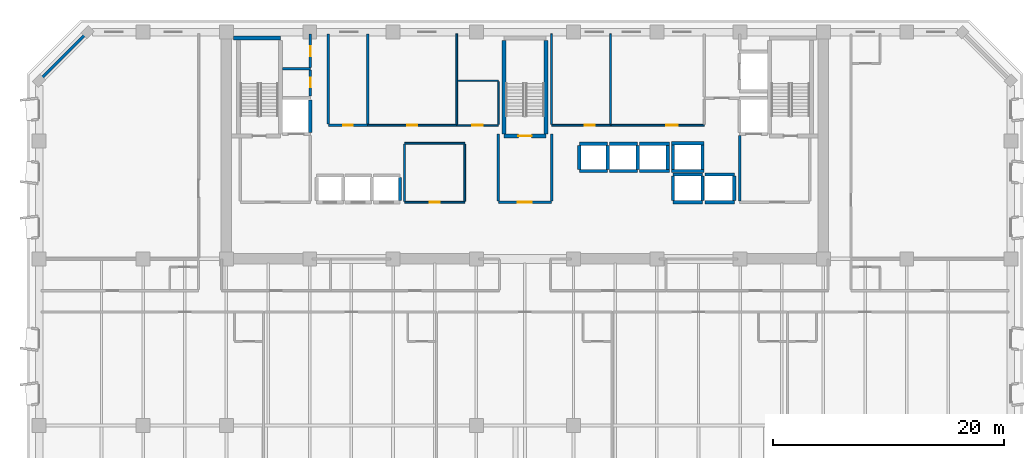
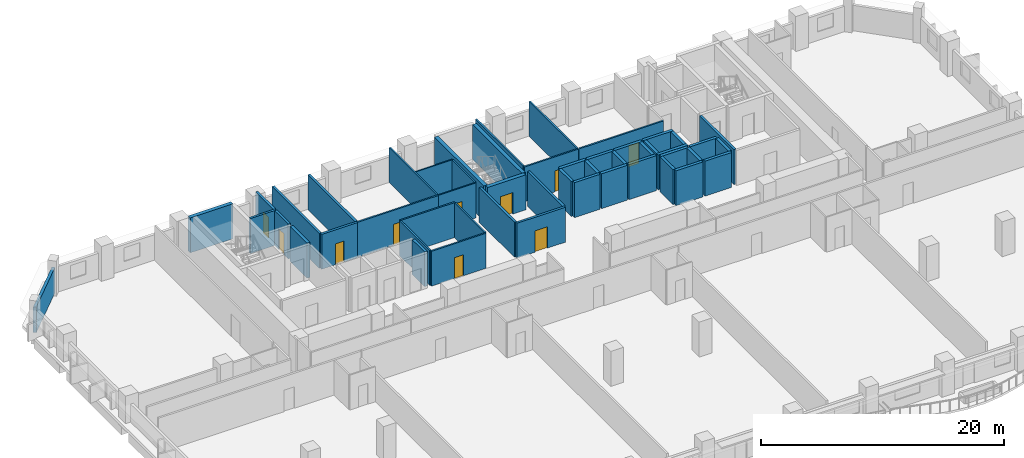
# One storey, part 7 of 14: 51 walls, 10 doors, 10 openings.
"""IFC4 building model written with IfcOpenShell, lengths in metres."""

import ifcopenshell
import ifcopenshell.guid

model = None  # the IFC model being written
_history = None  # IfcOwnerHistory: only IFC2X3 demands one
_inside = {}  # id of a spatial element -> (the spatial element, [elements in it])
_under = {}  # id of a project, library or spatial element -> (it, [spatial elements below it])
_declared = {}  # id of a project -> (the project, [libraries it declares])
_typed = {}  # id of a type object -> (the type object, [elements of that type])
_made_of = {}  # id of a material, layer set ... -> (it, [elements and type objects made of it])


def new_model(schema):
    """Start an empty IFC model of exactly this schema.

    Asked for "IFC4X3", IfcOpenShell would pick the latest addendum, in which some entities
    have other attributes; the version numbers below select the first issue.
    IFC2X3 requires an IfcOwnerHistory on every rooted entity: one is made here for all.
    """
    global model, _history
    if schema == "IFC4X3":
        model = ifcopenshell.file(schema_version=(4, 3, 0, 0))
    else:
        model = ifcopenshell.file(schema=schema)
    _inside.clear()
    _under.clear()
    _declared.clear()
    _typed.clear()
    _made_of.clear()
    _history = None
    if model.schema == "IFC2X3":
        org = make("IfcOrganization", Name="unknown")
        user = make(
            "IfcPersonAndOrganization",
            ThePerson=make("IfcPerson", FamilyName="unknown"),
            TheOrganization=org,
        )
        app = make(
            "IfcApplication",
            ApplicationDeveloper=org,
            Version="unknown",
            ApplicationFullName="unknown",
            ApplicationIdentifier="unknown",
        )
        _history = make(
            "IfcOwnerHistory",
            OwningUser=user,
            OwningApplication=app,
            ChangeAction="ADDED",
            CreationDate=0,
        )
    return model


def make(cls, **values):
    """One entity of the class cls with the attributes given. An attribute that is None is left unset."""
    return model.create_entity(
        cls, **{name: value for name, value in values.items() if value is not None}
    )


def rooted(cls, **values):
    """An entity with a GlobalId (a new one), such as an element, a storey or a relation."""
    return make(cls, GlobalId=ifcopenshell.guid.new(), OwnerHistory=_history, **values)


def si_unit(unit_type, name, prefix=None):
    """IfcSIUnit, for example si_unit("LENGTHUNIT", "METRE", prefix="MILLI")."""
    return make("IfcSIUnit", UnitType=unit_type, Prefix=prefix, Name=name)


def assignment(units):
    """IfcUnitAssignment: the units of a project."""
    return None if units is None else make("IfcUnitAssignment", Units=units)


def point(xyz):
    """IfcCartesianPoint."""
    return None if xyz is None else make("IfcCartesianPoint", Coordinates=xyz)


def direction(xyz):
    """IfcDirection."""
    return None if xyz is None else make("IfcDirection", DirectionRatios=xyz)


def frame(location, z_axis=None, x_axis=None):
    """IfcAxis2Placement3D, a coordinate frame: its origin and axes. An axis left out is left unset."""
    return make(
        "IfcAxis2Placement3D",
        Location=point(location),
        Axis=direction(z_axis),
        RefDirection=direction(x_axis),
    )


def frame_2d(location, x_axis=None):
    """IfcAxis2Placement2D, a coordinate frame in the plane: its origin and x axis."""
    return make(
        "IfcAxis2Placement2D", Location=point(location), RefDirection=direction(x_axis)
    )


def origin():
    """The frame at (0, 0, 0) with its axes left unset."""
    return frame((0.0, 0.0, 0.0))


def place(relative_to, where):
    """IfcLocalPlacement: puts the frame where relative to a parent placement (None: the world)."""
    return make(
        "IfcLocalPlacement", PlacementRelTo=relative_to, RelativePlacement=where
    )


def context(
    kind, dimensions, precision=None, world=None, true_north=None, identifier=None
):
    """IfcGeometricRepresentationContext, for example the 3D "Model" context."""
    return make(
        "IfcGeometricRepresentationContext",
        ContextIdentifier=identifier,
        ContextType=kind,
        CoordinateSpaceDimension=dimensions,
        Precision=precision,
        WorldCoordinateSystem=world,
        TrueNorth=true_north,
    )


def subcontext(parent, identifier, kind, view, scale=None):
    """IfcGeometricRepresentationSubContext, for example "Body" below "Model"."""
    return make(
        "IfcGeometricRepresentationSubContext",
        ContextIdentifier=identifier,
        ContextType=kind,
        ParentContext=parent,
        TargetScale=scale,
        TargetView=view,
    )


def project(units=None, contexts=None):
    """IfcProject with its units and contexts."""
    return rooted(
        "IfcProject",
        Name="project",
        RepresentationContexts=contexts,
        UnitsInContext=assignment(units),
    )


def spatial(cls, under=None, at=None, **own):
    """A site, building, storey or space (cls), placed at a placement, below another one or the project."""
    s = rooted(cls, ObjectPlacement=at, **own)
    if under is not None:
        _under.setdefault(under.id(), (under, []))[1].append(s)
    return s


def profile(cls, at=None, kind="AREA", **sizes):
    """A parametric profile (cls). Its sizes go by their IFC names, for example OverallWidth=200.0."""
    return make(cls, ProfileType=kind, Position=at, **sizes)


def rectangle(**sizes):
    """IfcRectangleProfileDef."""
    return profile("IfcRectangleProfileDef", **sizes)


def extrude(swept, where, along, depth):
    """IfcExtrudedAreaSolid: the profile swept, set in the frame where, extruded along a direction by depth."""
    return make(
        "IfcExtrudedAreaSolid",
        SweptArea=swept,
        Position=where,
        ExtrudedDirection=direction(along),
        Depth=depth,
    )


def shape(context_of_items, identifier, shape_type, items):
    """IfcShapeRepresentation: the items that make up one representation, for example the "Body"."""
    return make(
        "IfcShapeRepresentation",
        ContextOfItems=context_of_items,
        RepresentationIdentifier=identifier,
        RepresentationType=shape_type,
        Items=items,
    )


def material(Name=None, Category=None):
    """IfcMaterial."""
    return make("IfcMaterial", Name=Name, Category=Category)


def layer(
    of_material, thickness, ventilated=None, Name=None, Category=None, Priority=None
):
    """IfcMaterialLayer: one layer of a wall or slab, of a material (None: an air gap)."""
    return make(
        "IfcMaterialLayer",
        Material=of_material,
        LayerThickness=thickness,
        IsVentilated=ventilated,
        Name=Name,
        Category=Category,
        Priority=Priority,
    )


def layer_set(layers, Name=None):
    """IfcMaterialLayerSet."""
    return make("IfcMaterialLayerSet", MaterialLayers=layers, LayerSetName=Name)


def made_of(thing, what):
    """Note that an element or type object is made of a material, layer set ...; save() writes the relation."""
    if what is not None:
        _made_of.setdefault(what.id(), (what, []))[1].append(thing)
    return thing


def type_object(cls, material=None, **own):
    """A type object (cls), such as IfcWallType, which elements share."""
    return made_of(rooted(cls, **own), material)


def element(
    cls,
    number,
    at=None,
    inside=None,
    cuts=None,
    type_object=None,
    material=None,
    context=None,
    identifier="Body",
    shape_type=None,
    held_by="IfcProductDefinitionShape",
    body=None,
    shapes=None,
    **own,
):
    """One element of the class cls, such as IfcWall. Its Tag is "e" and its number.

    at: its placement. inside: the storey or other place that contains it. cuts: it is an
    opening in that element (IfcRelVoidsElement). A single representation is given by context,
    identifier, shape_type and body (its items); several are given by shapes. held_by: the class
    of the entity that holds the representations. save() writes the other relations.
    """
    e = rooted(cls, Tag="e%d" % number, ObjectPlacement=at, **own)
    if body is not None:
        shapes = [shape(context, identifier, shape_type, body)]
    if shapes is not None:
        e.Representation = make(held_by, Representations=shapes)
    if inside is not None:
        _inside.setdefault(inside.id(), (inside, []))[1].append(e)
    if cuts is not None:
        rooted(
            "IfcRelVoidsElement", RelatingBuildingElement=cuts, RelatedOpeningElement=e
        )
    if type_object is not None:
        _typed.setdefault(type_object.id(), (type_object, []))[1].append(e)
    return made_of(e, material)


def fill(opening, filler):
    """IfcRelFillsElement: the door or window that sits in an opening."""
    return rooted(
        "IfcRelFillsElement",
        RelatingOpeningElement=opening,
        RelatedBuildingElement=filler,
    )


def aggregate(whole, parts):
    """IfcRelAggregates: a whole, such as a stair, and the parts it consists of."""
    return rooted("IfcRelAggregates", RelatingObject=whole, RelatedObjects=parts)


def save(model, path):
    """Write the relations noted so far, then the file.

    IfcRelAggregates (storeys below a building ...), IfcRelContainedInSpatialStructure (elements
    in a storey), IfcRelDefinesByType, IfcRelAssociatesMaterial and IfcRelDeclares: one each for
    every whole, place, type object, material and project.
    """
    for whole, parts in _under.values():
        aggregate(whole, parts)
    for where, things in _inside.values():
        rooted(
            "IfcRelContainedInSpatialStructure",
            RelatedElements=things,
            RelatingStructure=where,
        )
    for kind, things in _typed.values():
        rooted("IfcRelDefinesByType", RelatedObjects=things, RelatingType=kind)
    for what, things in _made_of.values():
        rooted("IfcRelAssociatesMaterial", RelatedObjects=things, RelatingMaterial=what)
    for by, libraries in _declared.values():
        rooted("IfcRelDeclares", RelatingContext=by, RelatedDefinitions=libraries)
    model.write(path)


model = new_model("IFC4")

# Units and contexts
model_context = context("Model", 3, precision=1e-05, world=origin(), true_north=direction((0.0, 1.0)))
body_context = subcontext(model_context, "Body", "Model", "MODEL_VIEW")
ifc_project = project(units=[si_unit("LENGTHUNIT", "METRE"), si_unit("AREAUNIT", "SQUARE_METRE"), si_unit("VOLUMEUNIT", "CUBIC_METRE"), si_unit("PLANEANGLEUNIT", "RADIAN"), si_unit("MASSUNIT", "GRAM", prefix="KILO")], contexts=[model_context])

# Site, building, storey
site_placement = place(None, origin())
site = spatial("IfcSite", under=ifc_project, at=site_placement, CompositionType="ELEMENT")
building_placement = place(site_placement, origin())
building = spatial("IfcBuilding", under=site, at=building_placement, Name="Kaelvorn Grand Hotel", CompositionType="ELEMENT")
storey_placement = place(building_placement, frame((0.0, 0.0, 119.300048828125)))
storey = spatial("IfcBuildingStorey", under=building, at=storey_placement, Name="L28", CompositionType="ELEMENT", Elevation=119.300048828125)

# Wall
ifc_material_1 = material(Name="Concrete C40/50", Category="concrete")
ifc_layer_1 = layer(ifc_material_1, 0.260009765625)
ifc_layer_set_1 = layer_set([ifc_layer_1], Name="Concrete C40/50")
wall_type_1 = type_object("IfcWallType", Name="WL-EXT-260-C40", PredefinedType="SOLIDWALL", material=ifc_layer_set_1)
wall_1_placement = place(storey_placement, frame((4.199951171875, 49.0, 0.0), z_axis=(0.0, 0.0, 1.0), x_axis=(-0.707106781187, -0.707106781187, 0.0)))
element("IfcWall", 1, at=wall_1_placement, inside=storey, type_object=wall_type_1, Name="L28 Exterior Architectural Concrete Wall 06", PredefinedType="SOLIDWALL", context=body_context, shape_type="SweptSolid", body=[
    extrude(rectangle(XDim=5.939697265625, YDim=0.260009765625, at=frame_2d((2.9697265625, 0.0))), origin(), (0.0, 0.0, 1.0), 2.56005859375),
])

# Wall, opening, door
ifc_material_2 = material(Name="Moisture-Resistant Tile & Stud Board")
ifc_layer_2 = layer(ifc_material_2, 0.125)
ifc_layer_set_2 = layer_set([ifc_layer_2], Name="Moisture-Resistant Tile & Stud Board")
wall_type_2 = type_object("IfcWallType", Name="WL-PART-125-WET", PredefinedType="PARTITIONING", material=ifc_layer_set_2)
wall_2_placement = place(storey_placement, frame((36.110107421875, 40.949951171875, 0.0), z_axis=(0.0, 0.0, 1.0), x_axis=(1.0, 0.0, 0.0)))
wall_2 = element("IfcWall", 2, at=wall_2_placement, inside=storey, type_object=wall_type_2, Name="L28 Accessible WC S Partition", PredefinedType="PARTITIONING", context=body_context, shape_type="SweptSolid", body=[
    extrude(rectangle(XDim=3.58984375, YDim=0.125, at=frame_2d((1.794921875, 0.0))), origin(), (0.0, 0.0, 1.0), 3.510009765625),
])
opening_1_placement = place(wall_2_placement, frame((1.340087890625, 0.0, 0.0)))
opening_1 = element("IfcOpeningElement", 3, at=opening_1_placement, cuts=wall_2, Name="Opening DI4", PredefinedType="OPENING", context=body_context, shape_type="SweptSolid", body=[
    extrude(rectangle(XDim=0.89990234375, YDim=2.10009765625, at=frame_2d((0.449951171875, 1.050048828125))), frame((0.0, 0.072509765625, 0.0), z_axis=(0.0, -1.0, 0.0), x_axis=(1.0, 0.0, 0.0)), (0.0, 0.0, 1.0), 0.14501953125),
])
ifc_material_3 = material(Name="Timber Veneer Leaf", Category="wood")
door_type_1 = type_object("IfcDoorType", Name="DR-INT-BATH-900x2100", OperationType="NOTDEFINED", PredefinedType="DOOR", material=ifc_material_3)
door_1_placement = place(opening_1_placement, origin())
door_1 = element("IfcDoor", 4, at=door_1_placement, inside=storey, type_object=door_type_1, Name="L28 Accessible WC Door", OperationType="SINGLE_SWING_RIGHT", OverallHeight=2.10009765625, OverallWidth=0.89990234375, PredefinedType="DOOR", context=body_context, shape_type="SweptSolid", body=[
    extrude(rectangle(XDim=0.89990234375, YDim=2.10009765625, at=frame_2d((0.449951171875, 1.050048828125))), frame((0.0, 0.02490234375, 0.0), z_axis=(0.0, -1.0, 0.0), x_axis=(1.0, 0.0, 0.0)), (0.0, 0.0, 1.0), 0.050048828125),
])
fill(opening_1, door_1)

# Walls
wall_3_placement = place(storey_placement, frame((36.179931640625, 44.800048828125, 0.0), z_axis=(0.0, 0.0, 1.0), x_axis=(1.0, 0.0, 0.0)))
element("IfcWall", 5, at=wall_3_placement, inside=storey, type_object=wall_type_2, Name="L28 Accessible WC N Partition", PredefinedType="PARTITIONING", context=body_context, shape_type="SweptSolid", body=[
    extrude(rectangle(XDim=3.52001953125, YDim=0.125, at=frame_2d((1.760009765625, 0.0))), origin(), (0.0, 0.0, 1.0), 3.510009765625),
])
wall_4_placement = place(storey_placement, frame((39.699951171875, 41.017578125, 0.0), z_axis=(0.0, 0.0, 1.0), x_axis=(0.0, 1.0, 0.0)))
element("IfcWall", 6, at=wall_4_placement, inside=storey, type_object=wall_type_2, Name="L28 Accessible WC E Partition", PredefinedType="PARTITIONING", context=body_context, shape_type="SweptSolid", body=[
    extrude(rectangle(XDim=3.71484375, YDim=0.125, at=frame_2d((1.857421875, 0.0))), origin(), (0.0, 0.0, 1.0), 3.510009765625),
])

# Wall, opening, door
ifc_material_4 = material(Name="Acoustic Gypsum & Stud Partition")
ifc_layer_3 = layer(ifc_material_4, 0.14990234375)
ifc_layer_set_3 = layer_set([ifc_layer_3], Name="Acoustic Gypsum & Stud Partition")
wall_type_3 = type_object("IfcWallType", Name="WL-PART-150-EI60", PredefinedType="PARTITIONING", material=ifc_layer_set_3)
wall_5_placement = place(storey_placement, frame((31.60009765625, 34.300048828125, 0.0), z_axis=(0.0, 0.0, 1.0), x_axis=(1.0, 0.0, 0.0)))
wall_5 = element("IfcWall", 7, at=wall_5_placement, inside=storey, type_object=wall_type_3, Name="L28 Core Telecoms & BMS Server Room S Partition", PredefinedType="PARTITIONING", context=body_context, shape_type="SweptSolid", body=[
    extrude(rectangle(XDim=5.199951171875, YDim=0.14990234375, at=frame_2d((2.60009765625, 0.0))), origin(), (0.0, 0.0, 1.0), 3.510009765625),
])
opening_2_placement = place(wall_5_placement, frame((2.175048828125, 0.0, 0.0)))
opening_2 = element("IfcOpeningElement", 8, at=opening_2_placement, cuts=wall_5, Name="Opening DI7", PredefinedType="OPENING", context=body_context, shape_type="SweptSolid", body=[
    extrude(rectangle(XDim=0.85009765625, YDim=2.10009765625, at=frame_2d((0.425048828125, 1.050048828125))), frame((0.0, 0.0849609375, 0.0), z_axis=(0.0, -1.0, 0.0), x_axis=(1.0, 0.0, 0.0)), (0.0, 0.0, 1.0), 0.169921875),
])
ifc_material_5 = material(Name="Powder-Coated Steel Leaf", Category="steel")
door_type_2 = type_object("IfcDoorType", Name="DR-INT-RISER-850x2100", OperationType="NOTDEFINED", PredefinedType="DOOR", material=ifc_material_5)
door_2_placement = place(opening_2_placement, origin())
door_2 = element("IfcDoor", 9, at=door_2_placement, inside=storey, type_object=door_type_2, Name="L28 Core Telecoms & BMS Server Room Door", OperationType="SINGLE_SWING_LEFT", OverallHeight=2.10009765625, OverallWidth=0.85009765625, PredefinedType="DOOR", context=body_context, shape_type="SweptSolid", body=[
    extrude(rectangle(XDim=0.85009765625, YDim=2.10009765625, at=frame_2d((0.425048828125, 1.050048828125))), frame((0.0, 0.02490234375, 0.0), z_axis=(0.0, -1.0, 0.0), x_axis=(1.0, 0.0, 0.0)), (0.0, 0.0, 1.0), 0.050048828125),
])
fill(opening_2, door_2)

# Walls
wall_6_placement = place(storey_placement, frame((31.60009765625, 39.39990234375, 0.0), z_axis=(0.0, 0.0, 1.0), x_axis=(1.0, 0.0, 0.0)))
element("IfcWall", 10, at=wall_6_placement, inside=storey, type_object=wall_type_3, Name="L28 Core Telecoms & BMS Server Room N Partition", PredefinedType="PARTITIONING", context=body_context, shape_type="SweptSolid", body=[
    extrude(rectangle(XDim=5.199951171875, YDim=0.14990234375, at=frame_2d((2.60009765625, 0.0))), origin(), (0.0, 0.0, 1.0), 3.510009765625),
])
for number, where, z_axis, x_axis, name in (
    (11, (31.60009765625, 34.3798828125, 0.0), (0.0, 0.0, 1.0), (0.0, 1.0, 0.0), "L28 Core Telecoms & BMS Server Room W Partition"),
    (12, (36.800048828125, 34.3798828125, 0.0), (0.0, 0.0, 1.0), (0.0, 1.0, 0.0), "L28 Core Telecoms & BMS Server Room E Partition"),
):
    element("IfcWall", number, at=place(storey_placement, frame(where, z_axis=z_axis, x_axis=x_axis)), inside=storey, type_object=wall_type_3, Name=name, PredefinedType="PARTITIONING", context=body_context, shape_type="SweptSolid", body=[
        extrude(rectangle(XDim=4.940185546875, YDim=0.14990234375, at=frame_2d((2.47021484375, 0.0))), origin(), (0.0, 0.0, 1.0), 3.510009765625),
    ])

# Wall, opening, door
wall_7_placement = place(storey_placement, frame((28.409912109375, 40.949951171875, 0.0), z_axis=(0.0, 0.0, 1.0), x_axis=(1.0, 0.0, 0.0)))
wall_7 = element("IfcWall", 13, at=wall_7_placement, inside=storey, type_object=wall_type_3, Name="L28 Housekeeping & Linen Room S Partition", PredefinedType="PARTITIONING", context=body_context, shape_type="SweptSolid", body=[
    extrude(rectangle(XDim=7.690185546875, YDim=0.14990234375, at=frame_2d((3.84521484375, 0.0))), origin(), (0.0, 0.0, 1.0), 3.510009765625),
])
opening_3_placement = place(wall_7_placement, frame((3.4150390625, 0.0, 0.0)))
opening_3 = element("IfcOpeningElement", 14, at=opening_3_placement, cuts=wall_7, Name="Opening DI7", PredefinedType="OPENING", context=body_context, shape_type="SweptSolid", body=[
    extrude(rectangle(XDim=0.85009765625, YDim=2.10009765625, at=frame_2d((0.425048828125, 1.050048828125))), frame((0.0, 0.0849609375, 0.0), z_axis=(0.0, -1.0, 0.0), x_axis=(1.0, 0.0, 0.0)), (0.0, 0.0, 1.0), 0.169921875),
])
door_3_placement = place(opening_3_placement, origin())
door_3 = element("IfcDoor", 15, at=door_3_placement, inside=storey, type_object=door_type_2, Name="L28 Housekeeping & Linen Room Door", OperationType="SINGLE_SWING_LEFT", OverallHeight=2.10009765625, OverallWidth=0.85009765625, PredefinedType="DOOR", context=body_context, shape_type="SweptSolid", body=[
    extrude(rectangle(XDim=0.85009765625, YDim=2.10009765625, at=frame_2d((0.425048828125, 1.050048828125))), frame((0.0, 0.02490234375, 0.0), z_axis=(0.0, -1.0, 0.0), x_axis=(1.0, 0.0, 0.0)), (0.0, 0.0, 1.0), 0.050048828125),
])
fill(opening_3, door_3)

# Wall
wall_8_placement = place(storey_placement, frame((36.10009765625, 41.030029296875, 0.0), z_axis=(0.0, 0.0, 1.0), x_axis=(0.0, 1.0, 0.0)))
element("IfcWall", 16, at=wall_8_placement, inside=storey, type_object=wall_type_3, Name="L28 Housekeeping & Linen Room E Partition", PredefinedType="PARTITIONING", context=body_context, shape_type="SweptSolid", body=[
    extrude(rectangle(XDim=7.820068359375, YDim=0.14990234375, at=frame_2d((3.91015625, 0.0))), origin(), (0.0, 0.0, 1.0), 3.510009765625),
])

# Wall, opening, door
wall_9_placement = place(storey_placement, frame((44.300048828125, 40.949951171875, 0.0), z_axis=(0.0, 0.0, 1.0), x_axis=(1.0, 0.0, 0.0)))
wall_9 = element("IfcWall", 17, at=wall_9_placement, inside=storey, type_object=wall_type_3, Name="L28 Laundry Chute Vestibule S Partition", PredefinedType="PARTITIONING", context=body_context, shape_type="SweptSolid", body=[
    extrude(rectangle(XDim=5.099853515625, YDim=0.14990234375, at=frame_2d((2.5498046875, 0.0))), origin(), (0.0, 0.0, 1.0), 3.510009765625),
])
opening_4_placement = place(wall_9_placement, frame((2.875, 0.0, 0.0)))
opening_4 = element("IfcOpeningElement", 18, at=opening_4_placement, cuts=wall_9, Name="Opening DI7", PredefinedType="OPENING", context=body_context, shape_type="SweptSolid", body=[
    extrude(rectangle(XDim=0.85009765625, YDim=2.10009765625, at=frame_2d((0.425048828125, 1.050048828125))), frame((0.0, 0.0849609375, 0.0), z_axis=(0.0, -1.0, 0.0), x_axis=(1.0, 0.0, 0.0)), (0.0, 0.0, 1.0), 0.169921875),
])
door_4_placement = place(opening_4_placement, origin())
door_4 = element("IfcDoor", 19, at=door_4_placement, inside=storey, type_object=door_type_2, Name="L28 Laundry Chute Vestibule Door", OperationType="SINGLE_SWING_LEFT", OverallHeight=2.10009765625, OverallWidth=0.85009765625, PredefinedType="DOOR", context=body_context, shape_type="SweptSolid", body=[
    extrude(rectangle(XDim=0.85009765625, YDim=2.10009765625, at=frame_2d((0.425048828125, 1.050048828125))), frame((0.0, 0.02490234375, 0.0), z_axis=(0.0, -1.0, 0.0), x_axis=(1.0, 0.0, 0.0)), (0.0, 0.0, 1.0), 0.050048828125),
])
fill(opening_4, door_4)

# Walls
for number, where, z_axis, x_axis, name in (
    (20, (44.300048828125, 41.030029296875, 0.0), (0.0, 0.0, 1.0), (0.0, 1.0, 0.0), "L28 Laundry Chute Vestibule W Partition"),
    (21, (49.39990234375, 41.030029296875, 0.0), (0.0, 0.0, 1.0), (0.0, 1.0, 0.0), "L28 Laundry Chute Vestibule E Partition"),
):
    element("IfcWall", number, at=place(storey_placement, frame(where, z_axis=z_axis, x_axis=x_axis)), inside=storey, type_object=wall_type_3, Name=name, PredefinedType="PARTITIONING", context=body_context, shape_type="SweptSolid", body=[
        extrude(rectangle(XDim=7.820068359375, YDim=0.14990234375, at=frame_2d((3.91015625, 0.0))), origin(), (0.0, 0.0, 1.0), 3.510009765625),
    ])

# Wall, opening, door
wall_10_placement = place(storey_placement, frame((49.47998046875, 40.949951171875, 0.0), z_axis=(0.0, 0.0, 1.0), x_axis=(1.0, 0.0, 0.0)))
wall_10 = element("IfcWall", 22, at=wall_10_placement, inside=storey, type_object=wall_type_3, Name="L28 Butler Servery Pantry S Partition", PredefinedType="PARTITIONING", context=body_context, shape_type="SweptSolid", body=[
    extrude(rectangle(XDim=8.02001953125, YDim=0.14990234375, at=frame_2d((4.010009765625, 0.0))), origin(), (0.0, 0.0, 1.0), 3.510009765625),
])
opening_5_placement = place(wall_10_placement, frame((4.719970703125, 0.0, 0.0)))
opening_5 = element("IfcOpeningElement", 23, at=opening_5_placement, cuts=wall_10, Name="Opening DI3", PredefinedType="OPENING", context=body_context, shape_type="SweptSolid", body=[
    extrude(rectangle(XDim=1.0, YDim=2.14990234375, at=frame_2d((0.5, 1.074951171875))), frame((0.0, 0.0849609375, 0.0), z_axis=(0.0, -1.0, 0.0), x_axis=(1.0, 0.0, 0.0)), (0.0, 0.0, 1.0), 0.169921875),
])
ifc_material_6 = material(Name="Timber Veneer Fire Leaf", Category="wood")
door_type_3 = type_object("IfcDoorType", Name="DR-INT-GUEST-1000x2150", OperationType="NOTDEFINED", PredefinedType="DOOR", material=ifc_material_6)
door_5_placement = place(opening_5_placement, origin())
door_5 = element("IfcDoor", 24, at=door_5_placement, inside=storey, type_object=door_type_3, Name="L28 Butler Servery Pantry Door", OperationType="SINGLE_SWING_RIGHT", OverallHeight=2.14990234375, OverallWidth=1.0, PredefinedType="DOOR", context=body_context, shape_type="SweptSolid", body=[
    extrude(rectangle(XDim=1.0, YDim=2.14990234375, at=frame_2d((0.5, 1.074951171875))), frame((0.0, 0.02490234375, 0.0), z_axis=(0.0, -1.0, 0.0), x_axis=(1.0, 0.0, 0.0)), (0.0, 0.0, 1.0), 0.050048828125),
])
fill(opening_5, door_5)

# Wall
ifc_layer_4 = layer(ifc_material_1, 0.219970703125)
ifc_layer_set_4 = layer_set([ifc_layer_4], Name="Concrete C40/50")
wall_type_4 = type_object("IfcWallType", Name="WL-PART-220-EI120", PredefinedType="PARTITIONING", material=ifc_layer_set_4)
wall_11_placement = place(storey_placement, frame((60.550048828125, 34.4150390625, 0.0), z_axis=(0.0, 0.0, 1.0), x_axis=(0.0, 1.0, 0.0)))
element("IfcWall", 25, at=wall_11_placement, inside=storey, type_object=wall_type_4, Name="L28 Firefighting Lift Lobby 2 W Partition", PredefinedType="PARTITIONING", context=body_context, shape_type="SweptSolid", body=[
    extrude(rectangle(XDim=5.639892578125, YDim=0.219970703125, at=frame_2d((2.81982421875, 0.0))), origin(), (0.0, 0.0, 1.0), 3.510009765625),
])

# Wall, opening, door
wall_12_placement = place(storey_placement, frame((39.699951171875, 34.300048828125, 0.0), z_axis=(0.0, 0.0, 1.0), x_axis=(1.0, 0.0, 0.0)))
wall_12 = element("IfcWall", 26, at=wall_12_placement, inside=storey, type_object=wall_type_4, Name="L28 Central Stair Escape Vestibule S Partition", PredefinedType="PARTITIONING", context=body_context, shape_type="SweptSolid", body=[
    extrude(rectangle(XDim=4.60009765625, YDim=0.219970703125, at=frame_2d((2.300048828125, 0.0))), origin(), (0.0, 0.0, 1.0), 3.510009765625),
])
opening_6_placement = place(wall_12_placement, frame((1.699951171875, 0.0, 0.0)))
opening_6 = element("IfcOpeningElement", 27, at=opening_6_placement, cuts=wall_12, Name="Opening DI2", PredefinedType="OPENING", context=body_context, shape_type="SweptSolid", body=[
    extrude(rectangle(XDim=1.199951171875, YDim=2.14990234375, at=frame_2d((0.60009765625, 1.074951171875))), frame((0.0, 0.1201171875, 0.0), z_axis=(0.0, -1.0, 0.0), x_axis=(1.0, 0.0, 0.0)), (0.0, 0.0, 1.0), 0.239990234375),
])
door_type_4 = type_object("IfcDoorType", Name="DR-INT-FFLOB-1200x2150", OperationType="NOTDEFINED", PredefinedType="DOOR", material=ifc_material_6)
door_6_placement = place(opening_6_placement, origin())
door_6 = element("IfcDoor", 28, at=door_6_placement, inside=storey, type_object=door_type_4, Name="L28 Central Stair Escape Vestibule Door", OperationType="SINGLE_SWING_LEFT", OverallHeight=2.14990234375, OverallWidth=1.199951171875, PredefinedType="DOOR", context=body_context, shape_type="SweptSolid", body=[
    extrude(rectangle(XDim=1.199951171875, YDim=2.14990234375, at=frame_2d((0.60009765625, 1.074951171875))), frame((0.0, 0.02490234375, 0.0), z_axis=(0.0, -1.0, 0.0), x_axis=(1.0, 0.0, 0.0)), (0.0, 0.0, 1.0), 0.050048828125),
])
fill(opening_6, door_6)

# Walls
for number, where, z_axis, x_axis, name in (
    (29, (39.699951171875, 34.4150390625, 0.0), (0.0, 0.0, 1.0), (0.0, 1.0, 0.0), "L28 Central Stair Escape Vestibule W Partition"),
    (30, (44.300048828125, 34.4150390625, 0.0), (0.0, 0.0, 1.0), (0.0, 1.0, 0.0), "L28 Central Stair Escape Vestibule E Partition"),
):
    element("IfcWall", number, at=place(storey_placement, frame(where, z_axis=z_axis, x_axis=x_axis)), inside=storey, type_object=wall_type_4, Name=name, PredefinedType="PARTITIONING", context=body_context, shape_type="SweptSolid", body=[
        extrude(rectangle(XDim=5.784912109375, YDim=0.219970703125, at=frame_2d((2.892578125, 0.0))), origin(), (0.0, 0.0, 1.0), 3.510009765625),
    ])
wall_13_placement = place(storey_placement, frame((21.034912109375, 45.85009765625, 0.0), z_axis=(0.0, 0.0, 1.0), x_axis=(1.0, 0.0, 0.0)))
element("IfcWall", 31, at=wall_13_placement, inside=storey, type_object=wall_type_4, Name="L28 Wet Fire & Plumbing Riser Shaft N Partition", PredefinedType="PARTITIONING", context=body_context, shape_type="SweptSolid", body=[
    extrude(rectangle(XDim=2.4150390625, YDim=0.219970703125, at=frame_2d((1.20751953125, 0.0))), origin(), (0.0, 0.0, 1.0), 3.510009765625),
])

# Wall, opening, door
wall_14_placement = place(storey_placement, frame((23.449951171875, 43.5, 0.0), z_axis=(0.0, 0.0, 1.0), x_axis=(0.0, 1.0, 0.0)))
wall_14 = element("IfcWall", 32, at=wall_14_placement, inside=storey, type_object=wall_type_4, Name="L28 Wet Fire & Plumbing Riser Shaft E Partition", PredefinedType="PARTITIONING", context=body_context, shape_type="SweptSolid", body=[
    extrude(rectangle(XDim=2.235107421875, YDim=0.219970703125, at=frame_2d((1.11767578125, 0.0))), origin(), (0.0, 0.0, 1.0), 3.510009765625),
])
opening_7_placement = place(wall_14_placement, frame((0.72509765625, 0.0, 0.0)))
opening_7 = element("IfcOpeningElement", 33, at=opening_7_placement, cuts=wall_14, Name="Opening DI7", PredefinedType="OPENING", context=body_context, shape_type="SweptSolid", body=[
    extrude(rectangle(XDim=0.85009765625, YDim=2.10009765625, at=frame_2d((0.425048828125, 1.050048828125))), frame((0.0, 0.1201171875, 0.0), z_axis=(0.0, -1.0, 0.0), x_axis=(1.0, 0.0, 0.0)), (0.0, 0.0, 1.0), 0.239990234375),
])
door_7_placement = place(opening_7_placement, origin())
door_7 = element("IfcDoor", 34, at=door_7_placement, inside=storey, type_object=door_type_2, Name="L28 Wet Fire & Plumbing Riser Shaft Door", OperationType="SINGLE_SWING_LEFT", OverallHeight=2.10009765625, OverallWidth=0.85009765625, PredefinedType="DOOR", context=body_context, shape_type="SweptSolid", body=[
    extrude(rectangle(XDim=0.85009765625, YDim=2.10009765625, at=frame_2d((0.425048828125, 1.050048828125))), frame((0.0, 0.02490234375, 0.0), z_axis=(0.0, -1.0, 0.0), x_axis=(1.0, 0.0, 0.0)), (0.0, 0.0, 1.0), 0.050048828125),
])
fill(opening_7, door_7)

wall_15_placement = place(storey_placement, frame((23.449951171875, 45.965087890625, 0.0), z_axis=(0.0, 0.0, 1.0), x_axis=(0.0, 1.0, 0.0)))
wall_15 = element("IfcWall", 35, at=wall_15_placement, inside=storey, type_object=wall_type_4, Name="L28 HV Electrical & Smoke Riser E Partition", PredefinedType="PARTITIONING", context=body_context, shape_type="SweptSolid", body=[
    extrude(rectangle(XDim=2.885009765625, YDim=0.219970703125, at=frame_2d((1.4423828125, 0.0))), origin(), (0.0, 0.0, 1.0), 3.510009765625),
])
opening_8_placement = place(wall_15_placement, frame((0.9599609375, 0.0, 0.0)))
opening_8 = element("IfcOpeningElement", 36, at=opening_8_placement, cuts=wall_15, Name="Opening DI7", PredefinedType="OPENING", context=body_context, shape_type="SweptSolid", body=[
    extrude(rectangle(XDim=0.85009765625, YDim=2.10009765625, at=frame_2d((0.425048828125, 1.050048828125))), frame((0.0, 0.1201171875, 0.0), z_axis=(0.0, -1.0, 0.0), x_axis=(1.0, 0.0, 0.0)), (0.0, 0.0, 1.0), 0.239990234375),
])
door_8_placement = place(opening_8_placement, origin())
door_8 = element("IfcDoor", 37, at=door_8_placement, inside=storey, type_object=door_type_2, Name="L28 HV Electrical & Smoke Riser Door", OperationType="SINGLE_SWING_RIGHT", OverallHeight=2.10009765625, OverallWidth=0.85009765625, PredefinedType="DOOR", context=body_context, shape_type="SweptSolid", body=[
    extrude(rectangle(XDim=0.85009765625, YDim=2.10009765625, at=frame_2d((0.425048828125, 1.050048828125))), frame((0.0, 0.02490234375, 0.0), z_axis=(0.0, -1.0, 0.0), x_axis=(1.0, 0.0, 0.0)), (0.0, 0.0, 1.0), 0.050048828125),
])
fill(opening_8, door_8)

wall_16_placement = place(storey_placement, frame((25.0, 40.949951171875, 0.0), z_axis=(0.0, 0.0, 1.0), x_axis=(1.0, 0.0, 0.0)))
wall_16 = element("IfcWall", 38, at=wall_16_placement, inside=storey, type_object=wall_type_4, Name="L28 Electrical Distribution Room S Partition", PredefinedType="PARTITIONING", context=body_context, shape_type="SweptSolid", body=[
    extrude(rectangle(XDim=3.39990234375, YDim=0.219970703125, at=frame_2d((1.699951171875, 0.0))), origin(), (0.0, 0.0, 1.0), 3.510009765625),
])
opening_9_placement = place(wall_16_placement, frame((1.27490234375, 0.0, 0.0)))
opening_9 = element("IfcOpeningElement", 39, at=opening_9_placement, cuts=wall_16, Name="Opening DI7", PredefinedType="OPENING", context=body_context, shape_type="SweptSolid", body=[
    extrude(rectangle(XDim=0.85009765625, YDim=2.10009765625, at=frame_2d((0.425048828125, 1.050048828125))), frame((0.0, 0.1201171875, 0.0), z_axis=(0.0, -1.0, 0.0), x_axis=(1.0, 0.0, 0.0)), (0.0, 0.0, 1.0), 0.239990234375),
])
door_9_placement = place(opening_9_placement, origin())
door_9 = element("IfcDoor", 40, at=door_9_placement, inside=storey, type_object=door_type_2, Name="L28 Electrical Distribution Room Door", OperationType="SINGLE_SWING_RIGHT", OverallHeight=2.10009765625, OverallWidth=0.85009765625, PredefinedType="DOOR", context=body_context, shape_type="SweptSolid", body=[
    extrude(rectangle(XDim=0.85009765625, YDim=2.10009765625, at=frame_2d((0.425048828125, 1.050048828125))), frame((0.0, 0.02490234375, 0.0), z_axis=(0.0, -1.0, 0.0), x_axis=(1.0, 0.0, 0.0)), (0.0, 0.0, 1.0), 0.050048828125),
])
fill(opening_9, door_9)

# Walls
for number, where, z_axis, x_axis, name in (
    (41, (25.0, 41.06494140625, 0.0), (0.0, 0.0, 1.0), (0.0, 1.0, 0.0), "L28 Electrical Distribution Room W Partition"),
    (42, (28.39990234375, 41.06494140625, 0.0), (0.0, 0.0, 1.0), (0.0, 1.0, 0.0), "L28 Electrical Distribution Room E Partition"),
):
    element("IfcWall", number, at=place(storey_placement, frame(where, z_axis=z_axis, x_axis=x_axis)), inside=storey, type_object=wall_type_4, Name=name, PredefinedType="PARTITIONING", context=body_context, shape_type="SweptSolid", body=[
        extrude(rectangle(XDim=7.78515625, YDim=0.219970703125, at=frame_2d((3.892578125, 0.0))), origin(), (0.0, 0.0, 1.0), 3.510009765625),
    ])
ifc_material_7 = material(Name="Concrete C50/60", Category="concrete")
ifc_layer_5 = layer(ifc_material_7, 0.280029296875)
ifc_layer_set_5 = layer_set([ifc_layer_5], Name="Concrete C50/60")
wall_type_5 = type_object("IfcWallType", Name="WL-SHAFT-280-C50", PredefinedType="SHEAR", material=ifc_layer_set_5)
wall_17_placement = place(storey_placement, frame((31.199951171875, 34.445068359375, 0.0), z_axis=(0.0, 0.0, 1.0), x_axis=(0.0, 1.0, 0.0)))
element("IfcWall", 43, at=wall_17_placement, inside=storey, type_object=wall_type_5, Name="L28 Lift PL-L3 Shaft East Wall", PredefinedType="SHEAR", context=body_context, shape_type="SweptSolid", body=[
    extrude(rectangle(XDim=2.010009765625, YDim=0.280029296875, at=frame_2d((1.0048828125, 0.0))), origin(), (0.0, 0.0, 1.0), 3.510009765625),
])
for number, where, z_axis, x_axis, name in (
    (44, (46.699951171875, 37.0, 0.0), (0.0, 0.0, 1.0), (1.0, 0.0, 0.0), "L28 Lift SL-1 Shaft South Wall"),
    (45, (46.699951171875, 39.35009765625, 0.0), (0.0, 0.0, 1.0), (1.0, 0.0, 0.0), "L28 Lift SL-1 Shaft North Wall"),
):
    element("IfcWall", number, at=place(storey_placement, frame(where, z_axis=z_axis, x_axis=x_axis)), inside=storey, type_object=wall_type_5, Name=name, PredefinedType="SHEAR", context=body_context, shape_type="SweptSolid", body=[
        extrude(rectangle(XDim=2.449951171875, YDim=0.280029296875, at=frame_2d((1.22509765625, 0.0))), origin(), (0.0, 0.0, 1.0), 3.510009765625),
    ])
for number, where, z_axis, x_axis, name in (
    (46, (46.699951171875, 37.14501953125, 0.0), (0.0, 0.0, 1.0), (0.0, 1.0, 0.0), "L28 Lift SL-1 Shaft West Wall"),
    (47, (49.14990234375, 37.14501953125, 0.0), (0.0, 0.0, 1.0), (0.0, 1.0, 0.0), "L28 Lift SL-1 Shaft East Wall"),
):
    element("IfcWall", number, at=place(storey_placement, frame(where, z_axis=z_axis, x_axis=x_axis)), inside=storey, type_object=wall_type_5, Name=name, PredefinedType="SHEAR", context=body_context, shape_type="SweptSolid", body=[
        extrude(rectangle(XDim=2.06005859375, YDim=0.280029296875, at=frame_2d((1.030029296875, 0.0))), origin(), (0.0, 0.0, 1.0), 3.510009765625),
    ])
for number, where, z_axis, x_axis, name in (
    (48, (49.300048828125, 37.0, 0.0), (0.0, 0.0, 1.0), (1.0, 0.0, 0.0), "L28 Lift SL-2 Shaft South Wall"),
    (49, (49.300048828125, 39.35009765625, 0.0), (0.0, 0.0, 1.0), (1.0, 0.0, 0.0), "L28 Lift SL-2 Shaft North Wall"),
):
    element("IfcWall", number, at=place(storey_placement, frame(where, z_axis=z_axis, x_axis=x_axis)), inside=storey, type_object=wall_type_5, Name=name, PredefinedType="SHEAR", context=body_context, shape_type="SweptSolid", body=[
        extrude(rectangle(XDim=2.449951171875, YDim=0.280029296875, at=frame_2d((1.22509765625, 0.0))), origin(), (0.0, 0.0, 1.0), 3.510009765625),
    ])
wall_18_placement = place(storey_placement, frame((51.75, 37.14501953125, 0.0), z_axis=(0.0, 0.0, 1.0), x_axis=(0.0, 1.0, 0.0)))
element("IfcWall", 50, at=wall_18_placement, inside=storey, type_object=wall_type_5, Name="L28 Lift SL-2 Shaft East Wall", PredefinedType="SHEAR", context=body_context, shape_type="SweptSolid", body=[
    extrude(rectangle(XDim=2.06005859375, YDim=0.280029296875, at=frame_2d((1.030029296875, 0.0))), origin(), (0.0, 0.0, 1.0), 3.510009765625),
])
for number, where, z_axis, x_axis, name in (
    (51, (51.89990234375, 37.0, 0.0), (0.0, 0.0, 1.0), (1.0, 0.0, 0.0), "L28 Lift SL-3 Shaft South Wall"),
    (52, (51.89990234375, 39.35009765625, 0.0), (0.0, 0.0, 1.0), (1.0, 0.0, 0.0), "L28 Lift SL-3 Shaft North Wall"),
):
    element("IfcWall", number, at=place(storey_placement, frame(where, z_axis=z_axis, x_axis=x_axis)), inside=storey, type_object=wall_type_5, Name=name, PredefinedType="SHEAR", context=body_context, shape_type="SweptSolid", body=[
        extrude(rectangle(XDim=2.590087890625, YDim=0.280029296875, at=frame_2d((1.294921875, 0.0))), origin(), (0.0, 0.0, 1.0), 3.510009765625),
    ])
wall_19_placement = place(storey_placement, frame((54.35009765625, 37.14501953125, 0.0), z_axis=(0.0, 0.0, 1.0), x_axis=(0.0, 1.0, 0.0)))
element("IfcWall", 53, at=wall_19_placement, inside=storey, type_object=wall_type_5, Name="L28 Lift SL-3 Shaft East Wall", PredefinedType="SHEAR", context=body_context, shape_type="SweptSolid", body=[
    extrude(rectangle(XDim=2.06005859375, YDim=0.280029296875, at=frame_2d((1.030029296875, 0.0))), origin(), (0.0, 0.0, 1.0), 3.510009765625),
])
for number, where, z_axis, x_axis, name in (
    (54, (54.800048828125, 34.300048828125, 0.0), (0.0, 0.0, 1.0), (1.0, 0.0, 0.0), "L28 Lift OL-1 Shaft South Wall"),
    (55, (54.800048828125, 36.699951171875, 0.0), (0.0, 0.0, 1.0), (1.0, 0.0, 0.0), "L28 Lift OL-1 Shaft North Wall"),
):
    element("IfcWall", number, at=place(storey_placement, frame(where, z_axis=z_axis, x_axis=x_axis)), inside=storey, type_object=wall_type_5, Name=name, PredefinedType="SHEAR", context=body_context, shape_type="SweptSolid", body=[
        extrude(rectangle(XDim=2.550048828125, YDim=0.280029296875, at=frame_2d((1.27490234375, 0.0))), origin(), (0.0, 0.0, 1.0), 3.510009765625),
    ])
for number, where, z_axis, x_axis, name in (
    (56, (54.800048828125, 34.445068359375, 0.0), (0.0, 0.0, 1.0), (0.0, 1.0, 0.0), "L28 Lift OL-1 Shaft West Wall"),
    (57, (57.35009765625, 34.445068359375, 0.0), (0.0, 0.0, 1.0), (0.0, 1.0, 0.0), "L28 Lift OL-1 Shaft East Wall"),
):
    element("IfcWall", number, at=place(storey_placement, frame(where, z_axis=z_axis, x_axis=x_axis)), inside=storey, type_object=wall_type_5, Name=name, PredefinedType="SHEAR", context=body_context, shape_type="SweptSolid", body=[
        extrude(rectangle(XDim=2.10986328125, YDim=0.280029296875, at=frame_2d((1.054931640625, 0.0))), origin(), (0.0, 0.0, 1.0), 3.510009765625),
    ])
for number, where, z_axis, x_axis, name in (
    (58, (57.550048828125, 34.300048828125, 0.0), (0.0, 0.0, 1.0), (1.0, 0.0, 0.0), "L28 Lift OL-2 Shaft South Wall"),
    (59, (57.550048828125, 36.699951171875, 0.0), (0.0, 0.0, 1.0), (1.0, 0.0, 0.0), "L28 Lift OL-2 Shaft North Wall"),
):
    element("IfcWall", number, at=place(storey_placement, frame(where, z_axis=z_axis, x_axis=x_axis)), inside=storey, type_object=wall_type_5, Name=name, PredefinedType="SHEAR", context=body_context, shape_type="SweptSolid", body=[
        extrude(rectangle(XDim=2.550048828125, YDim=0.280029296875, at=frame_2d((1.27490234375, 0.0))), origin(), (0.0, 0.0, 1.0), 3.510009765625),
    ])
wall_20_placement = place(storey_placement, frame((60.10009765625, 34.445068359375, 0.0), z_axis=(0.0, 0.0, 1.0), x_axis=(0.0, 1.0, 0.0)))
element("IfcWall", 60, at=wall_20_placement, inside=storey, type_object=wall_type_5, Name="L28 Lift OL-2 Shaft East Wall", PredefinedType="SHEAR", context=body_context, shape_type="SweptSolid", body=[
    extrude(rectangle(XDim=2.10986328125, YDim=0.280029296875, at=frame_2d((1.054931640625, 0.0))), origin(), (0.0, 0.0, 1.0), 3.510009765625),
])
for number, where, z_axis, x_axis, name in (
    (61, (54.659912109375, 37.0, 0.0), (0.0, 0.0, 1.0), (1.0, 0.0, 0.0), "L28 Lift OL-3 Shaft South Wall"),
    (62, (54.659912109375, 39.39990234375, 0.0), (0.0, 0.0, 1.0), (1.0, 0.0, 0.0), "L28 Lift OL-3 Shaft North Wall"),
):
    element("IfcWall", number, at=place(storey_placement, frame(where, z_axis=z_axis, x_axis=x_axis)), inside=storey, type_object=wall_type_5, Name=name, PredefinedType="SHEAR", context=body_context, shape_type="SweptSolid", body=[
        extrude(rectangle(XDim=2.830078125, YDim=0.280029296875, at=frame_2d((1.4150390625, 0.0))), origin(), (0.0, 0.0, 1.0), 3.510009765625),
    ])
for number, where, z_axis, x_axis, name in (
    (63, (54.800048828125, 37.14501953125, 0.0), (0.0, 0.0, 1.0), (0.0, 1.0, 0.0), "L28 Lift OL-3 Shaft West Wall"),
    (64, (57.35009765625, 37.14501953125, 0.0), (0.0, 0.0, 1.0), (0.0, 1.0, 0.0), "L28 Lift OL-3 Shaft East Wall"),
):
    element("IfcWall", number, at=place(storey_placement, frame(where, z_axis=z_axis, x_axis=x_axis)), inside=storey, type_object=wall_type_5, Name=name, PredefinedType="SHEAR", context=body_context, shape_type="SweptSolid", body=[
        extrude(rectangle(XDim=2.10986328125, YDim=0.280029296875, at=frame_2d((1.054931640625, 0.0))), origin(), (0.0, 0.0, 1.0), 3.510009765625),
    ])
wall_21_placement = place(storey_placement, frame((23.449951171875, 40.344970703125, 0.0), z_axis=(0.0, 0.0, 1.0), x_axis=(0.0, 1.0, 0.0)))
element("IfcWall", 65, at=wall_21_placement, inside=storey, type_object=wall_type_5, Name="L28 Lift FFL1 Shaft East Wall", PredefinedType="SHEAR", context=body_context, shape_type="SweptSolid", body=[
    extrude(rectangle(XDim=2.81005859375, YDim=0.280029296875, at=frame_2d((1.405029296875, 0.0))), origin(), (0.0, 0.0, 1.0), 3.510009765625),
])
ifc_material_8 = material(Name="Concrete C60/75", Category="concrete")
ifc_layer_6 = layer(ifc_material_8, 0.35009765625)
ifc_layer_set_6 = layer_set([ifc_layer_6], Name="Concrete C60/75")
wall_type_6 = type_object("IfcWallType", Name="WL-SHAFT-350-C60", PredefinedType="SHEAR", material=ifc_layer_set_6)
wall_22_placement = place(storey_placement, frame((16.804931640625, 48.47509765625, 0.0), z_axis=(0.0, 0.0, 1.0), x_axis=(1.0, 0.0, 0.0)))
element("IfcWall", 66, at=wall_22_placement, inside=storey, type_object=wall_type_6, Name="L28 ST1 Stair Shaft North Wall", PredefinedType="SHEAR", context=body_context, shape_type="SweptSolid", body=[
    extrude(rectangle(XDim=4.050048828125, YDim=0.35009765625, at=frame_2d((2.02490234375, 0.0))), origin(), (0.0, 0.0, 1.0), 3.510009765625),
])

# Wall, opening, door
wall_23_placement = place(storey_placement, frame((40.18505859375, 40.02490234375, 0.0), z_axis=(0.0, 0.0, 1.0), x_axis=(1.0, 0.0, 0.0)))
wall_23 = element("IfcWall", 67, at=wall_23_placement, inside=storey, type_object=wall_type_6, Name="L28 ST2 Stair Shaft South Wall", PredefinedType="SHEAR", context=body_context, shape_type="SweptSolid", body=[
    extrude(rectangle(XDim=3.6298828125, YDim=0.35009765625, at=frame_2d((1.81494140625, 0.0))), origin(), (0.0, 0.0, 1.0), 3.510009765625),
])
opening_10_placement = place(wall_23_placement, frame((1.239990234375, 0.0, 0.0)))
opening_10 = element("IfcOpeningElement", 68, at=opening_10_placement, cuts=wall_23, Name="Opening DI1", PredefinedType="OPENING", context=body_context, shape_type="SweptSolid", body=[
    extrude(rectangle(XDim=1.14990234375, YDim=2.14990234375, at=frame_2d((0.574951171875, 1.074951171875))), frame((0.0, 0.18505859375, 0.0), z_axis=(0.0, -1.0, 0.0), x_axis=(1.0, 0.0, 0.0)), (0.0, 0.0, 1.0), 0.3701171875),
])
door_type_5 = type_object("IfcDoorType", Name="DR-INT-STAIR-1150x2150", OperationType="NOTDEFINED", PredefinedType="DOOR", material=ifc_material_6)
door_10_placement = place(opening_10_placement, origin())
door_10 = element("IfcDoor", 69, at=door_10_placement, inside=storey, type_object=door_type_5, Name="L28 ST2 Exit Stair Fire Door", OperationType="SINGLE_SWING_LEFT", OverallHeight=2.14990234375, OverallWidth=1.14990234375, PredefinedType="DOOR", context=body_context, shape_type="SweptSolid", body=[
    extrude(rectangle(XDim=1.14990234375, YDim=2.14990234375, at=frame_2d((0.574951171875, 1.074951171875))), frame((0.0, 0.02490234375, 0.0), z_axis=(0.0, -1.0, 0.0), x_axis=(1.0, 0.0, 0.0)), (0.0, 0.0, 1.0), 0.050048828125),
])
fill(opening_10, door_10)

# Walls
for number, where, z_axis, x_axis, name in (
    (70, (40.18505859375, 40.205078125, 0.0), (0.0, 0.0, 1.0), (0.0, 1.0, 0.0), "L28 ST2 Stair Shaft West Wall"),
    (71, (43.81494140625, 40.205078125, 0.0), (0.0, 0.0, 1.0), (0.0, 1.0, 0.0), "L28 ST2 Stair Shaft East Wall"),
):
    element("IfcWall", number, at=place(storey_placement, frame(where, z_axis=z_axis, x_axis=x_axis)), inside=storey, type_object=wall_type_6, Name=name, PredefinedType="SHEAR", context=body_context, shape_type="SweptSolid", body=[
        extrude(rectangle(XDim=8.08984375, YDim=0.35009765625, at=frame_2d((4.044921875, 0.0))), origin(), (0.0, 0.0, 1.0), 3.510009765625),
    ])

save(model, "model.ifc")
